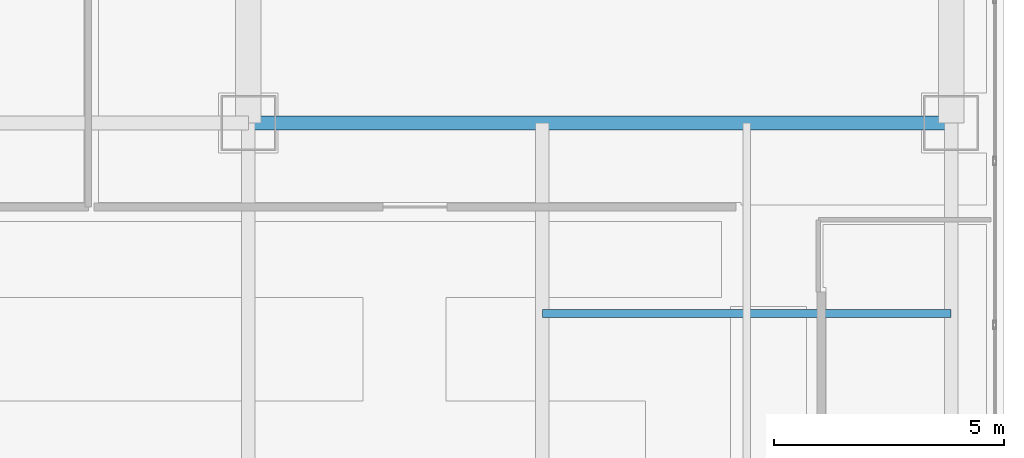
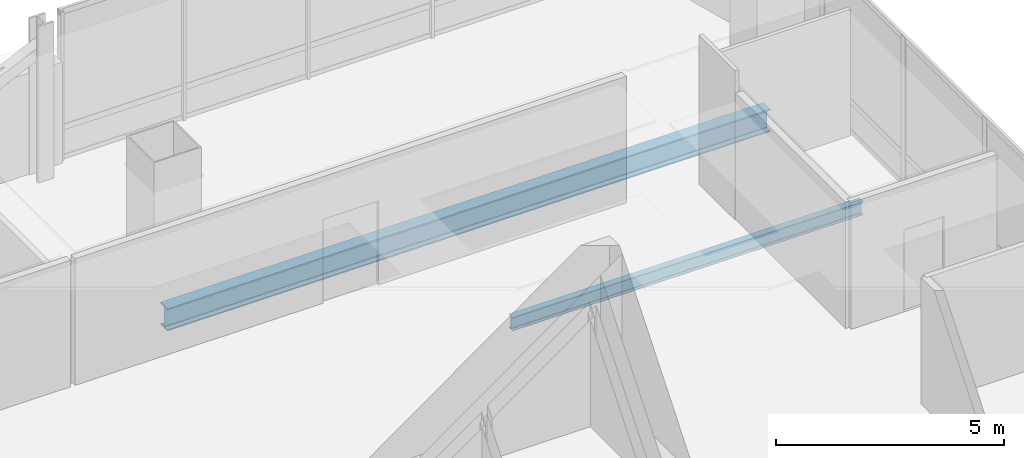
# One storey, part 26 of 43: 2 beams.
"""IFC4 building model written with IfcOpenShell, lengths in metres."""

from ifc_helpers import new_model, si_unit, direction, frame, origin, origin_2d, place, context, subcontext, project, spatial, i_section, extrude, material, material_profile, profile_set, type_object, element, save


model = new_model("IFC4")

# Units and contexts
model_context = context("Model", 3, precision=1e-05, world=origin(), true_north=direction((0.0, 1.0)))
body_context = subcontext(model_context, "Body", "Model", "MODEL_VIEW")
ifc_project = project(units=[si_unit("LENGTHUNIT", "METRE"), si_unit("AREAUNIT", "SQUARE_METRE"), si_unit("VOLUMEUNIT", "CUBIC_METRE"), si_unit("PLANEANGLEUNIT", "RADIAN"), si_unit("MASSUNIT", "GRAM", prefix="KILO")], contexts=[model_context])

# Site, building, storey
site_placement = place(None, origin())
site = spatial("IfcSite", under=ifc_project, at=site_placement, CompositionType="ELEMENT")
building_placement = place(site_placement, origin())
building = spatial("IfcBuilding", under=site, at=building_placement, Name="Punatoya Terracotta Tower", CompositionType="ELEMENT")
storey_placement = place(building_placement, frame((0.0, 0.0, 300.60009765625)))
storey = spatial("IfcBuildingStorey", under=building, at=storey_placement, Name="L71", CompositionType="ELEMENT", Elevation=300.60009765625)

# Beams
ifc_material = material(Name="Steel S355", Category="steel")
ifc_material_profile_1 = material_profile(ifc_material, i_section(OverallWidth=0.300048828125, OverallDepth=0.60009765625, WebThickness=0.015380859375, FlangeThickness=0.030029296875, FilletRadius=0.01806640625, at=origin_2d()))
ifc_profile_set_1 = profile_set([ifc_material_profile_1], Name="Steel S355")
beam_type_1 = type_object("IfcBeamType", Name="BM-PRI-600", PredefinedType="BEAM", material=ifc_profile_set_1)
beam_1_placement = place(storey_placement, frame((3.800048828125, 17.5, -0.5), z_axis=(1.0, 0.0, 0.0), x_axis=(0.0, 1.0, 0.0)))
element("IfcBeam", 1, at=beam_1_placement, inside=storey, type_object=beam_type_1, Name="BM-L71-RG-N3", PredefinedType="BEAM", context=body_context, shape_type="SweptSolid", body=[
    extrude(i_section(OverallWidth=0.300048828125, OverallDepth=0.60009765625, WebThickness=0.015380859375, FlangeThickness=0.030029296875, FilletRadius=0.01806640625, at=origin_2d()), origin(), (0.0, 0.0, 1.0), 15.300048828125),
])
ifc_material_profile_2 = material_profile(ifc_material, i_section(OverallWidth=0.169921875, OverallDepth=0.360107421875, WebThickness=0.008056640625, FlangeThickness=0.0126953125, FilletRadius=0.01806640625, at=origin_2d()))
ifc_profile_set_2 = profile_set([ifc_material_profile_2], Name="Steel S355")
beam_type_2 = type_object("IfcBeamType", Name="BM-SEC-360", PredefinedType="JOIST", material=ifc_profile_set_2)
beam_2_placement = place(storey_placement, frame((10.199951171875, 13.35009765625, -0.380126953125), z_axis=(1.0, 0.0, 0.0), x_axis=(0.0, 1.0, 0.0)))
element("IfcBeam", 2, at=beam_2_placement, inside=storey, type_object=beam_type_2, Name="BM-L71-SJN-2", PredefinedType="JOIST", context=body_context, shape_type="SweptSolid", body=[
    extrude(i_section(OverallWidth=0.169921875, OverallDepth=0.360107421875, WebThickness=0.008056640625, FlangeThickness=0.0126953125, FilletRadius=0.01806640625, at=origin_2d()), origin(), (0.0, 0.0, 1.0), 8.900146484375),
])

save(model, "model.ifc")
